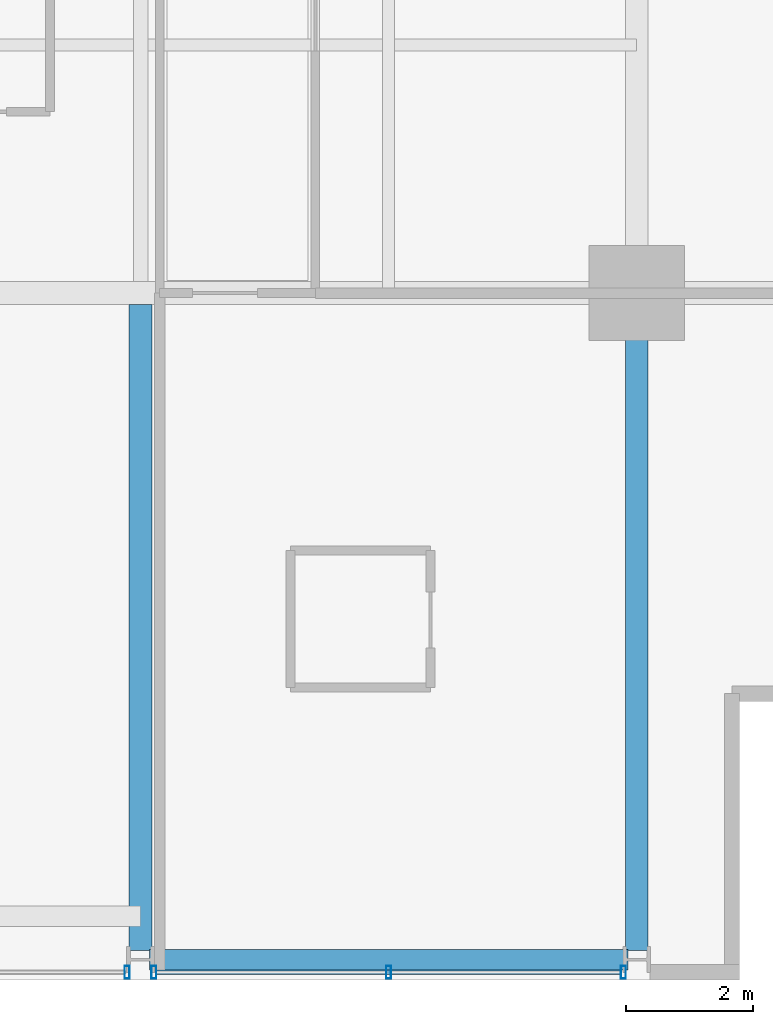
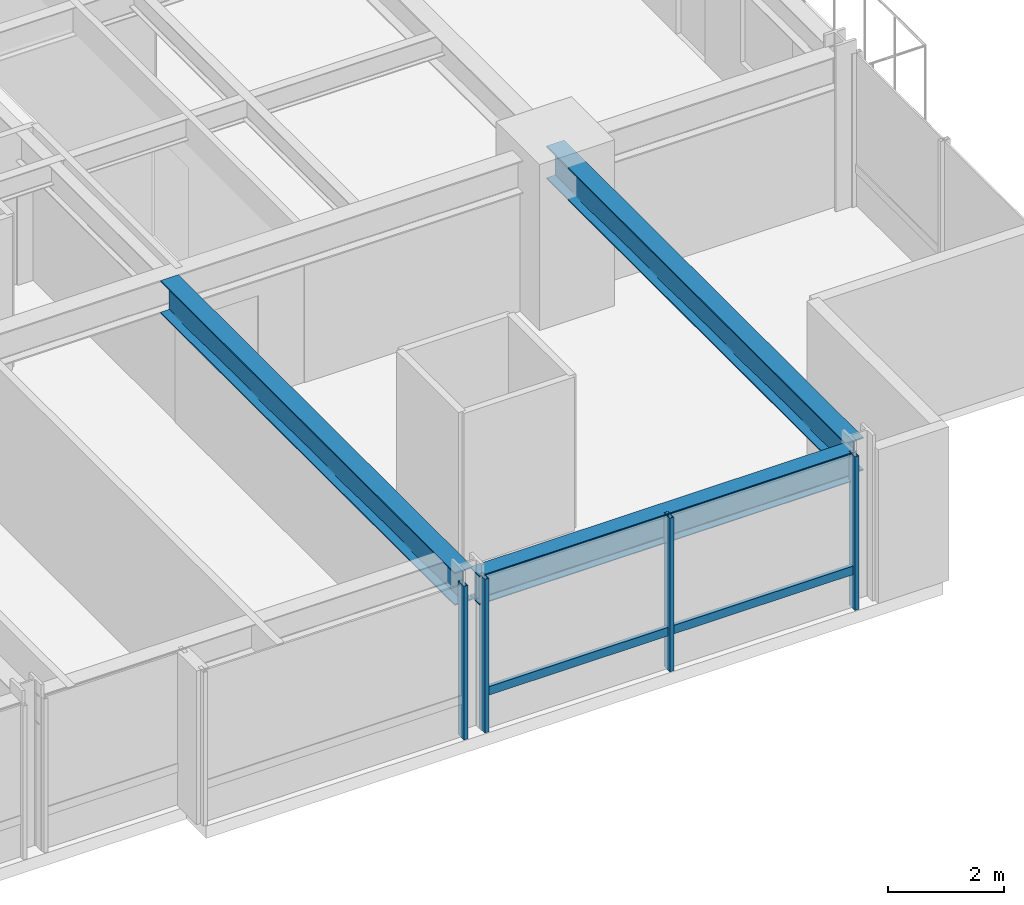
# One storey, part 11 of 34: 5 members, 3 beams, 2 elements without a shape of their own.
"""IFC4 building model written with IfcOpenShell, lengths in metres."""

from ifc_helpers import new_model, si_unit, direction, frame, origin, origin_2d, place, context, subcontext, project, spatial, hollow_rectangle, i_section, extrude, material, layer, layer_set, material_profile, profile_set, type_object, element, aggregate, save


model = new_model("IFC4")

# Units and contexts
model_context = context("Model", 3, precision=1e-05, world=origin(), true_north=direction((0.0, 1.0)))
body_context = subcontext(model_context, "Body", "Model", "MODEL_VIEW")
ifc_project = project(units=[si_unit("LENGTHUNIT", "METRE"), si_unit("AREAUNIT", "SQUARE_METRE"), si_unit("VOLUMEUNIT", "CUBIC_METRE"), si_unit("PLANEANGLEUNIT", "RADIAN"), si_unit("MASSUNIT", "GRAM", prefix="KILO")], contexts=[model_context])

# Site, building, storey
site_placement = place(None, origin())
site = spatial("IfcSite", under=ifc_project, at=site_placement, CompositionType="ELEMENT")
building_placement = place(site_placement, origin())
building = spatial("IfcBuilding", under=site, at=building_placement, Name="Drelvath Grand Hotel", CompositionType="ELEMENT")
storey_placement = place(building_placement, frame((0.0, 0.0, 133.800048828125)))
storey = spatial("IfcBuildingStorey", under=building, at=storey_placement, Name="L34", CompositionType="ELEMENT", Elevation=133.800048828125)

# Curtain wall, member
ifc_material_1 = material(Name="Champagne Bronze Anodised Aluminium Frame", Category="aluminium")
ifc_layer = layer(ifc_material_1, 0.199951171875)
ifc_layer_set = layer_set([ifc_layer], Name="Champagne Bronze Anodised Aluminium Frame")
curtain_wall_type = type_object("IfcCurtainWallType", Name="Stick Curtain Wall CW-03 Champagne Bronze Mid-Rise", PredefinedType="NOTDEFINED", material=ifc_layer_set)
curtain_wall_1_placement = place(storey_placement, origin())
curtain_wall_1 = element("IfcCurtainWall", 1, at=curtain_wall_1_placement, inside=storey, type_object=curtain_wall_type, Name="L34 CW-03 Curtain Wall CW03-L34-SE2", PredefinedType="NOTDEFINED")
ifc_material_profile_1 = material_profile(ifc_material_1, hollow_rectangle(XDim=0.074951171875, YDim=0.179931640625, WallThickness=0.0048828125, at=origin_2d()), Name="HSS180X75X5")
ifc_profile_set_1 = profile_set([ifc_material_profile_1], Name="Champagne Bronze Anodised Aluminium Frame")
member_type_1 = type_object("IfcMemberType", Name="Curtain Wall Horizontal Transom CW-03 HSS180X75X5", PredefinedType="USERDEFINED", material=ifc_profile_set_1)
member_1_placement = place(storey_placement, frame((15.95068359375, 0.1201171875, 0.81005859375), z_axis=(-1.0, 0.0, 0.0), x_axis=(0.0, -1.0, 0.0)))
member_1 = element("IfcMember", 2, at=member_1_placement, type_object=member_type_1, Name="CW03-L34-SE2 Sill Transom", ObjectType="TRANSOM", PredefinedType="USERDEFINED", context=body_context, shape_type="SweptSolid", body=[
    extrude(hollow_rectangle(XDim=0.074951171875, YDim=0.179931640625, WallThickness=0.0048828125, at=origin_2d()), origin(), (0.0, 0.0, 1.0), 7.30126953125),
])

curtain_wall_2_placement = place(storey_placement, origin())
curtain_wall_2 = element("IfcCurtainWall", 3, at=curtain_wall_2_placement, inside=storey, type_object=curtain_wall_type, Name="L34 CW-03 Curtain Wall CW03-L34-SE1", PredefinedType="NOTDEFINED")
ifc_material_profile_2 = material_profile(ifc_material_1, hollow_rectangle(XDim=0.080078125, YDim=0.199951171875, WallThickness=0.0048828125, at=origin_2d()), Name="HSS200X80X5")
ifc_profile_set_2 = profile_set([ifc_material_profile_2], Name="Champagne Bronze Anodised Aluminium Frame")
member_type_2 = type_object("IfcMemberType", Name="Curtain Wall Vertical Mullion CW-03 HSS200X80X5", PredefinedType="MULLION", material=ifc_profile_set_2)
member_2_placement = place(storey_placement, frame((8.190673828125, 0.1201171875, 0.0), z_axis=(0.0, 0.0, 1.0), x_axis=(1.0, 0.0, 0.0)))
member_2 = element("IfcMember", 4, at=member_2_placement, type_object=member_type_2, Name="CW03-L34-SE1 Mullion 1", PredefinedType="MULLION", context=body_context, shape_type="SweptSolid", body=[
    extrude(hollow_rectangle(XDim=0.080078125, YDim=0.199951171875, WallThickness=0.0048828125, at=origin_2d()), origin(), (0.0, 0.0, 1.0), 3.239990234375),
])
aggregate(curtain_wall_2, [member_2])

# Member
member_3_placement = place(storey_placement, frame((15.990478515625, 0.1201171875, 0.0), z_axis=(0.0, 0.0, 1.0), x_axis=(1.0, 0.0, 0.0)))
member_3 = element("IfcMember", 5, at=member_3_placement, type_object=member_type_2, Name="CW03-L34-SE2 Mullion 1", PredefinedType="MULLION", context=body_context, shape_type="SweptSolid", body=[
    extrude(hollow_rectangle(XDim=0.080078125, YDim=0.199951171875, WallThickness=0.0048828125, at=origin_2d()), origin(), (0.0, 0.0, 1.0), 3.239990234375),
])

member_4_placement = place(storey_placement, frame((12.300048828125, 0.1201171875, 0.0), z_axis=(0.0, 0.0, 1.0), x_axis=(1.0, 0.0, 0.0)))
member_4 = element("IfcMember", 6, at=member_4_placement, type_object=member_type_2, Name="CW03-L34-SE2 Mullion 2", PredefinedType="MULLION", context=body_context, shape_type="SweptSolid", body=[
    extrude(hollow_rectangle(XDim=0.080078125, YDim=0.199951171875, WallThickness=0.0048828125, at=origin_2d()), origin(), (0.0, 0.0, 1.0), 3.239990234375),
])

member_5_placement = place(storey_placement, frame((8.609375, 0.1201171875, 0.0), z_axis=(0.0, 0.0, 1.0), x_axis=(1.0, 0.0, 0.0)))
member_5 = element("IfcMember", 7, at=member_5_placement, type_object=member_type_2, Name="CW03-L34-SE2 Mullion 3", PredefinedType="MULLION", context=body_context, shape_type="SweptSolid", body=[
    extrude(hollow_rectangle(XDim=0.080078125, YDim=0.199951171875, WallThickness=0.0048828125, at=origin_2d()), origin(), (0.0, 0.0, 1.0), 3.239990234375),
])

aggregate(curtain_wall_1, [member_3, member_4, member_5, member_1])

# Beams
ifc_material_2 = material(Name="Steel ASTM A992 Gr 50", Category="steel")
ifc_material_profile_3 = material_profile(ifc_material_2, i_section(OverallWidth=0.323974609375, OverallDepth=0.611083984375, WebThickness=0.0126953125, FlangeThickness=0.01904296875, FilletRadius=0.02197265625, at=origin_2d()), Name="W24X104")
ifc_profile_set_3 = profile_set([ifc_material_profile_3], Name="Steel ASTM A992 Gr 50")
beam_type_1 = type_object("IfcBeamType", Name="Perimeter Spandrel Beam W24X104", PredefinedType="SPANDREL", material=ifc_profile_set_3)
beam_1_placement = place(storey_placement, frame((8.5400390625, 0.320068359375, 2.934326171875), z_axis=(1.0, 0.0, 0.0), x_axis=(0.0, 1.0, 0.0)))
element("IfcBeam", 8, at=beam_1_placement, inside=storey, type_object=beam_type_1, Name="L34 Spandrel South E", PredefinedType="SPANDREL", context=body_context, shape_type="SweptSolid", body=[
    extrude(i_section(OverallWidth=0.323974609375, OverallDepth=0.611083984375, WebThickness=0.0126953125, FlangeThickness=0.01904296875, FilletRadius=0.02197265625, at=origin_2d()), origin(), (0.0, 0.0, 1.0), 7.52001953125),
])
ifc_material_profile_4 = material_profile(ifc_material_2, i_section(OverallWidth=0.354736328125, OverallDepth=0.695556640625, WebThickness=0.015380859375, FlangeThickness=0.025146484375, FilletRadius=0.02392578125, at=origin_2d()), Name="W27X146")
ifc_profile_set_4 = profile_set([ifc_material_profile_4], Name="Steel ASTM A992 Gr 50")
beam_type_2 = type_object("IfcBeamType", Name="Primary Floor Girder W27X146", PredefinedType="BEAM", material=ifc_profile_set_4)
beam_2_placement = place(storey_placement, frame((16.199951171875, 0.4599609375, 2.892333984375), z_axis=(0.0, 1.0, 0.0), x_axis=(-1.0, 0.0, 0.0)))
element("IfcBeam", 9, at=beam_2_placement, inside=storey, type_object=beam_type_2, Name="L34 South Grid Girder 7", PredefinedType="BEAM", context=body_context, shape_type="SweptSolid", body=[
    extrude(i_section(OverallWidth=0.354736328125, OverallDepth=0.695556640625, WebThickness=0.015380859375, FlangeThickness=0.025146484375, FilletRadius=0.02392578125, at=origin_2d()), origin(), (0.0, 0.0, 1.0), 10.340087890625),
])
beam_3_placement = place(storey_placement, frame((8.39990234375, 0.4599609375, 2.892333984375), z_axis=(0.0, 1.0, 0.0), x_axis=(-1.0, 0.0, 0.0)))
element("IfcBeam", 10, at=beam_3_placement, inside=storey, type_object=beam_type_2, Name="L34 South Wing Girder 6", PredefinedType="BEAM", context=body_context, shape_type="SweptSolid", body=[
    extrude(i_section(OverallWidth=0.354736328125, OverallDepth=0.695556640625, WebThickness=0.015380859375, FlangeThickness=0.025146484375, FilletRadius=0.02392578125, at=origin_2d()), origin(), (0.0, 0.0, 1.0), 10.16259765625),
])

save(model, "model.ifc")
